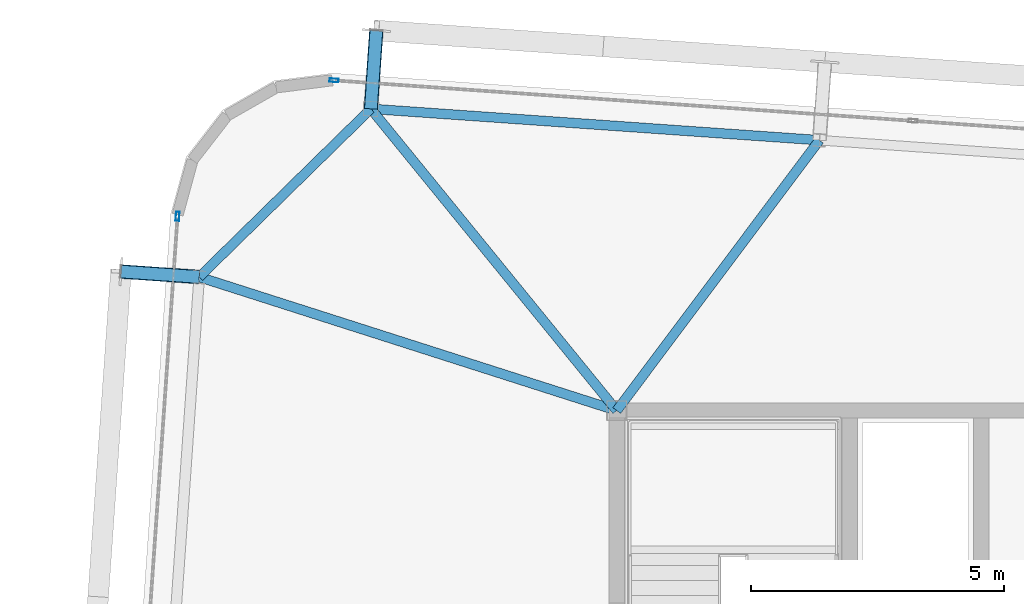
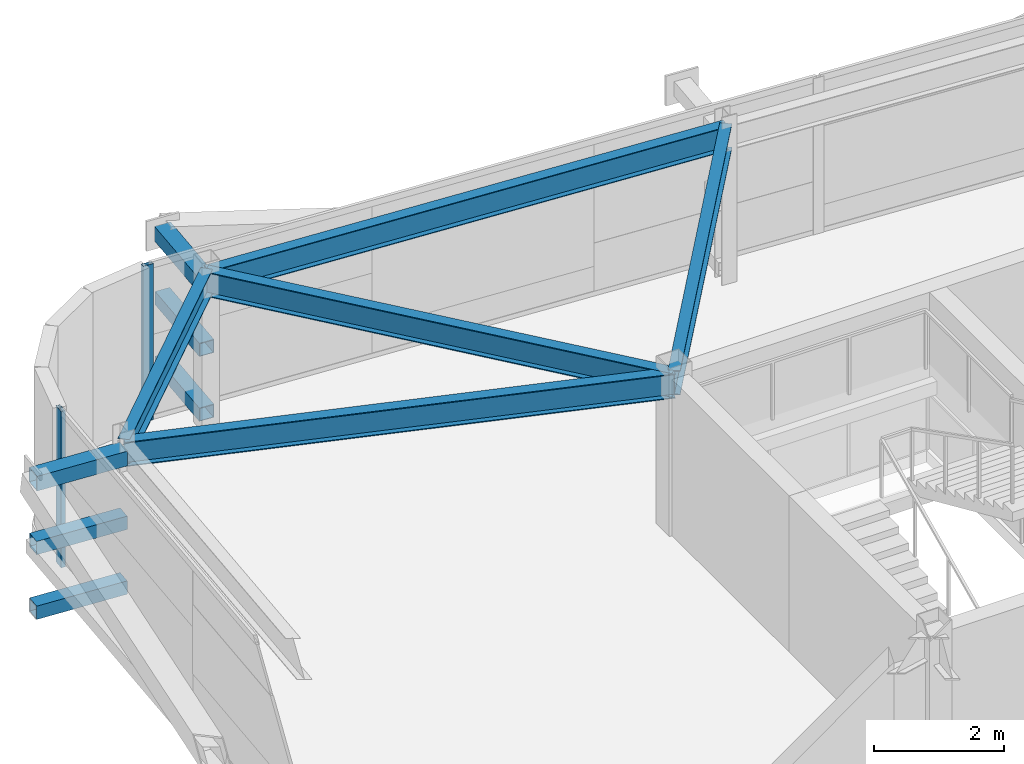
# One storey, part 19 of 39: 8 members, 5 beams, 2 elements without a shape of their own.
"""IFC4 building model written with IfcOpenShell, lengths in metres."""

from ifc_helpers import new_model, si_unit, direction, frame, origin, origin_2d, place, context, subcontext, project, spatial, hollow_rectangle, i_section, extrude, source, transform, mapped, material, layer, layer_set, material_profile, profile_set, type_object, element, aggregate, save


model = new_model("IFC4")

# Units and contexts
model_context = context("Model", 3, precision=1e-05, world=origin(), true_north=direction((0.0, 1.0)))
body_context = subcontext(model_context, "Body", "Model", "MODEL_VIEW")
ifc_project = project(units=[si_unit("LENGTHUNIT", "METRE"), si_unit("AREAUNIT", "SQUARE_METRE"), si_unit("VOLUMEUNIT", "CUBIC_METRE"), si_unit("PLANEANGLEUNIT", "RADIAN"), si_unit("MASSUNIT", "GRAM", prefix="KILO")], contexts=[model_context])

# Site, building, storey
site_placement = place(None, origin())
site = spatial("IfcSite", under=ifc_project, at=site_placement, CompositionType="ELEMENT")
building_placement = place(site_placement, origin())
building = spatial("IfcBuilding", under=site, at=building_placement, Name="Taldren Reach Tower", CompositionType="ELEMENT")
storey_placement = place(building_placement, frame((0.0, 0.0, 123.550048828125)))
storey = spatial("IfcBuildingStorey", under=building, at=storey_placement, Name="L37", CompositionType="ELEMENT", Elevation=123.550048828125)

# Members
ifc_material_1 = material(Name="Steel Gr 450 (C450L0)", Category="steel")
ifc_material_profile_1 = material_profile(ifc_material_1, hollow_rectangle(XDim=0.27490234375, YDim=0.27490234375, WallThickness=0.00927734375, at=origin_2d()), Name="275x275x9.3SHS")
ifc_profile_set_1 = profile_set([ifc_material_profile_1], Name="Steel Gr 450 (C450L0)")
member_type_1 = type_object("IfcMemberType", Name="MB-TIE273", PredefinedType="STRUT", material=ifc_profile_set_1)
shared_shape_1 = source(origin(), body_context, "Body", "SweptSolid", [
    extrude(hollow_rectangle(XDim=0.27490234375, YDim=0.27490234375, WallThickness=0.00927734375, at=origin_2d()), origin(), (0.0, 0.0, 1.0), 1.5498046875),
])
for number, where, z_axis, x_axis, name in (
    (1, (14.14453125, 37.958740234375, 2.64990234375), (0.069780535098, 0.997562367434, 0.0), (-0.997562367434, 0.069780535098, 0.0), "Exoskeleton diaphragm tie strut B3-N1 L37"),
    (2, (10.754638671875, 34.63720703125, 2.64990234375), (-0.997562367434, 0.069780535098, 0.0), (-0.069780535098, -0.997562367434, 0.0), "Exoskeleton diaphragm tie strut B3-W3 L37"),
):
    element("IfcMember", number, at=place(storey_placement, frame(where, z_axis=z_axis, x_axis=x_axis)), inside=storey, type_object=member_type_1, Name=name, PredefinedType="STRUT", context=body_context, shape_type="MappedRepresentation", body=[
        mapped(shared_shape_1, transform((0.0, 0.0, 0.0), scale=1.0)),
    ])
ifc_material_2 = material(Name="Steel Gr 350 (C350L0)", Category="steel")
ifc_material_profile_2 = material_profile(ifc_material_2, hollow_rectangle(XDim=0.25, YDim=0.25, WallThickness=0.010009765625, at=origin_2d()), Name="250x250x10.0SHS")
ifc_profile_set_2 = profile_set([ifc_material_profile_2], Name="Steel Gr 350 (C350L0)")
member_type_2 = type_object("IfcMemberType", Name="MB-POST250", PredefinedType="POST", material=ifc_profile_set_2)
shared_shape_2 = source(origin(), body_context, "Body", "SweptSolid", [
    extrude(hollow_rectangle(XDim=0.25, YDim=0.25, WallThickness=0.010009765625, at=origin_2d()), origin(), (0.0, 0.0, 1.0), 1.5498046875),
])
for number, where, z_axis, x_axis, name in (
    (3, (14.14453125, 37.958740234375, 0.219970703125), (0.069780535098, 0.997562367434, 0.0), (-0.997562367434, 0.069780535098, 0.0), "Exoskeleton base diaphragm tie strut B3-N1 L37"),
    (4, (10.754638671875, 34.63720703125, 0.219970703125), (-0.997562367434, 0.069780535098, 0.0), (-0.069780535098, -0.997562367434, 0.0), "Exoskeleton base diaphragm tie strut B3-W3 L37"),
    (5, (14.14453125, 37.958740234375, 1.43505859375), (0.069780535098, 0.997562367434, 0.0), (-0.997562367434, 0.069780535098, 0.0), "Exoskeleton mid-tier diaphragm tie B3-N1 L37"),
    (6, (10.754638671875, 34.63720703125, 1.43505859375), (-0.997562367434, 0.069780535098, 0.0), (-0.069780535098, -0.997562367434, 0.0), "Exoskeleton mid-tier diaphragm tie B3-W3 L37"),
):
    element("IfcMember", number, at=place(storey_placement, frame(where, z_axis=z_axis, x_axis=x_axis)), inside=storey, type_object=member_type_2, Name=name, PredefinedType="POST", context=body_context, shape_type="MappedRepresentation", body=[
        mapped(shared_shape_2, transform((0.0, 0.0, 0.0), scale=1.0)),
    ])

# Beams
ifc_material_3 = material(Name="Steel Gr 350 (350PLUS)", Category="steel")
ifc_material_profile_3 = material_profile(ifc_material_3, i_section(OverallWidth=0.18994140625, OverallDepth=0.4541015625, WebThickness=0.008544921875, FlangeThickness=0.0126953125, at=origin_2d()), Name="460UB67.1")
ifc_profile_set_3 = profile_set([ifc_material_profile_3], Name="Steel Gr 350 (350PLUS)")
beam_type_1 = type_object("IfcBeamType", Name="SP-UB460B", PredefinedType="SPANDREL", material=ifc_profile_set_3)
shared_shape_3 = source(origin(), body_context, "Body", "SweptSolid", [
    extrude(i_section(OverallWidth=0.18994140625, OverallDepth=0.4541015625, WebThickness=0.008544921875, FlangeThickness=0.0126953125, at=origin_2d()), origin(), (0.0, 0.0, 1.0), 8.880126953125),
])
beam_1_placement = place(storey_placement, frame((23.0029296875, 37.33935546875, 2.702880859375), z_axis=(-0.997564479639, 0.069750333063, 0.0), x_axis=(-0.069750333063, -0.997564479639, 0.0)))
element("IfcBeam", 7, at=beam_1_placement, inside=storey, type_object=beam_type_1, Name="Perimeter spandrel B3 N2-N1 L37", PredefinedType="SPANDREL", context=body_context, shape_type="MappedRepresentation", body=[
    mapped(shared_shape_3, transform((0.0, 0.0, 0.0), scale=1.0)),
])
shared_shape_4 = source(origin(), body_context, "Body", "SweptSolid", [
    extrude(i_section(OverallWidth=0.18994140625, OverallDepth=0.4541015625, WebThickness=0.008544921875, FlangeThickness=0.0126953125, at=origin_2d()), origin(), (0.0, 0.0, 1.0), 4.745849609375),
])
beam_2_placement = place(storey_placement, frame((14.14453125, 37.958740234375, 2.702880859375), z_axis=(-0.714271982806, -0.699868226581, 0.0), x_axis=(0.699868226581, -0.714271982806, 0.0)))
element("IfcBeam", 8, at=beam_2_placement, inside=storey, type_object=beam_type_1, Name="Perimeter spandrel B3 N1-W3 L37", PredefinedType="SPANDREL", context=body_context, shape_type="MappedRepresentation", body=[
    mapped(shared_shape_4, transform((0.0, 0.0, 0.0), scale=1.0)),
])
ifc_material_profile_4 = material_profile(ifc_material_3, i_section(OverallWidth=0.19091796875, OverallDepth=0.4599609375, WebThickness=0.010009765625, FlangeThickness=0.01611328125, at=origin_2d()), Name="460UB82.1")
ifc_profile_set_4 = profile_set([ifc_material_profile_4], Name="Steel Gr 350 (350PLUS)")
beam_type_2 = type_object("IfcBeamType", Name="BM-UB460A", PredefinedType="BEAM", material=ifc_profile_set_4)
shared_shape_5 = source(origin(), body_context, "Body", "SweptSolid", [
    extrude(i_section(OverallWidth=0.19091796875, OverallDepth=0.4599609375, WebThickness=0.010009765625, FlangeThickness=0.01611328125, at=origin_2d()), origin(), (0.0, 0.0, 1.0), 6.67333984375),
])
beam_3_placement = place(storey_placement, frame((19.0, 32.0, 2.699951171875), z_axis=(0.599847795508, 0.800114130749, 0.0), x_axis=(-0.800114130749, 0.599847795508, 0.0)))
element("IfcBeam", 9, at=beam_3_placement, inside=storey, type_object=beam_type_2, Name="Primary floor girder B3-N2 L37", PredefinedType="BEAM", context=body_context, shape_type="MappedRepresentation", body=[
    mapped(shared_shape_5, transform((0.0, 0.0, 0.0), scale=1.0)),
])
shared_shape_6 = source(origin(), body_context, "Body", "SweptSolid", [
    extrude(i_section(OverallWidth=0.19091796875, OverallDepth=0.4599609375, WebThickness=0.010009765625, FlangeThickness=0.01611328125, at=origin_2d()), origin(), (0.0, 0.0, 1.0), 7.6865234375),
])
beam_4_placement = place(storey_placement, frame((19.0, 32.0, 2.699951171875), z_axis=(-0.631688504871, 0.775222311866, 0.0), x_axis=(-0.775222311866, -0.631688504871, 0.0)))
element("IfcBeam", 10, at=beam_4_placement, inside=storey, type_object=beam_type_2, Name="Primary floor girder B3-N1 L37", PredefinedType="BEAM", context=body_context, shape_type="MappedRepresentation", body=[
    mapped(shared_shape_6, transform((0.0, 0.0, 0.0), scale=1.0)),
])
shared_shape_7 = source(origin(), body_context, "Body", "SweptSolid", [
    extrude(i_section(OverallWidth=0.19091796875, OverallDepth=0.4599609375, WebThickness=0.010009765625, FlangeThickness=0.01611328125, at=origin_2d()), origin(), (0.0, 0.0, 1.0), 8.65673828125),
])
beam_5_placement = place(storey_placement, frame((19.0, 32.0, 2.699951171875), z_axis=(-0.952468016288, 0.304638602195, 0.0), x_axis=(-0.304638602195, -0.952468016288, 0.0)))
element("IfcBeam", 11, at=beam_5_placement, inside=storey, type_object=beam_type_2, Name="Primary floor girder B3-W3 L37", PredefinedType="BEAM", context=body_context, shape_type="MappedRepresentation", body=[
    mapped(shared_shape_7, transform((0.0, 0.0, 0.0), scale=1.0)),
])

# Curtain wall, member
ifc_material_4 = material(Name="Aluminium and Low-E Glass Unitised System", Category="aluminium")
ifc_layer = layer(ifc_material_4, 0.159912109375)
ifc_layer_set = layer_set([ifc_layer], Name="Aluminium and Low-E Glass Unitised System")
curtain_wall_type = type_object("IfcCurtainWallType", Name="CW-SYS-4", PredefinedType="NOTDEFINED", material=ifc_layer_set)
curtain_wall_1_placement = place(storey_placement, origin())
curtain_wall_1 = element("IfcCurtainWall", 12, at=curtain_wall_1_placement, inside=storey, type_object=curtain_wall_type, Name="Unitised curtain wall CW-L37-N", PredefinedType="NOTDEFINED")
ifc_material_5 = material(Name="Anodised Aluminium 6063-T6", Category="aluminium")
ifc_material_profile_5 = material_profile(ifc_material_5, hollow_rectangle(XDim=0.070068359375, YDim=0.179931640625, WallThickness=0.00390625, at=origin_2d()), Name="ALU-180x70x4RHS")
ifc_profile_set_5 = profile_set([ifc_material_profile_5], Name="Anodised Aluminium 6063-T6")
member_type_3 = type_object("IfcMemberType", Name="CW-MUL-180", PredefinedType="MULLION", material=ifc_profile_set_5)
shared_shape_8 = source(origin(), body_context, "Body", "SweptSolid", [
    extrude(hollow_rectangle(XDim=0.070068359375, YDim=0.179931640625, WallThickness=0.00390625, at=origin_2d()), origin(), (0.0, 0.0, 1.0), 2.929931640625),
])
member_1_placement = place(storey_placement, frame((13.4169921875, 38.52099609375, 0.0), z_axis=(0.0, 0.0, 1.0), x_axis=(-0.06975651593, -0.99756404731, 0.0)))
member_1 = element("IfcMember", 13, at=member_1_placement, type_object=member_type_3, Name="CW-4 mullion 5", PredefinedType="MULLION", context=body_context, shape_type="MappedRepresentation", body=[
    mapped(shared_shape_8, transform((0.0, 0.0, 0.0), scale=1.0)),
])
aggregate(curtain_wall_1, [member_1])

curtain_wall_2_placement = place(storey_placement, origin())
curtain_wall_2 = element("IfcCurtainWall", 14, at=curtain_wall_2_placement, inside=storey, type_object=curtain_wall_type, Name="Unitised curtain wall CW-L37-W", PredefinedType="NOTDEFINED")
member_2_placement = place(storey_placement, frame((10.3271484375, 35.8349609375, 0.0), z_axis=(0.0, 0.0, 1.0), x_axis=(0.997564052812, -0.069756437251, 0.0)))
member_2 = element("IfcMember", 15, at=member_2_placement, type_object=member_type_3, Name="CW-4 mullion 1", PredefinedType="MULLION", context=body_context, shape_type="MappedRepresentation", body=[
    mapped(shared_shape_8, transform((0.0, 0.0, 0.0), scale=1.0)),
])
aggregate(curtain_wall_2, [member_2])

save(model, "model.ifc")
